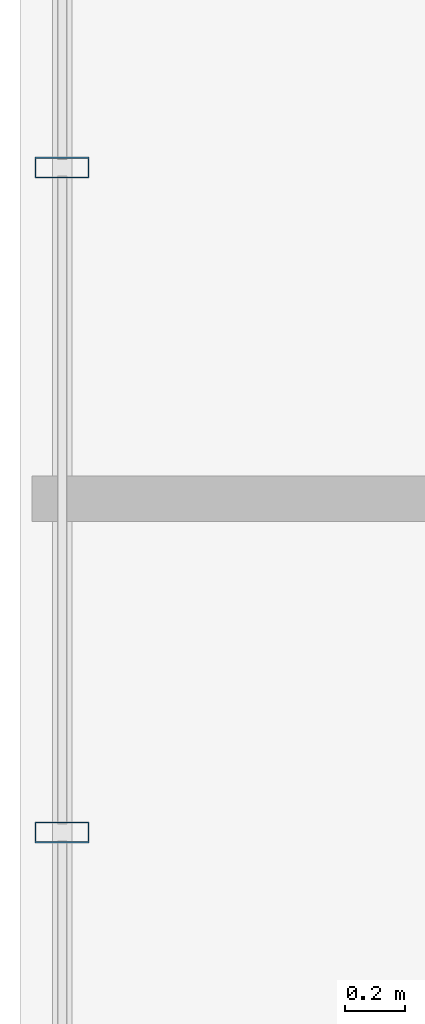
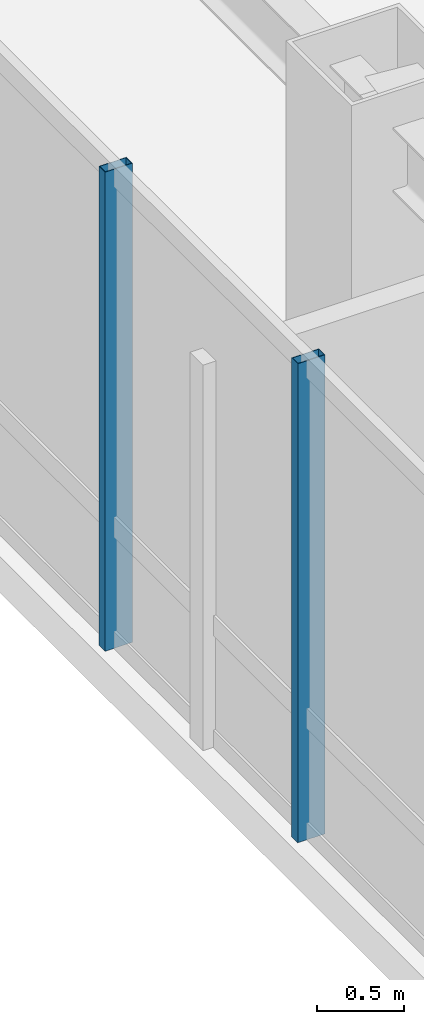
# One storey, part 6 of 27: 2 members, 1 element without a shape of its own.
"""IFC4 building model written with IfcOpenShell, lengths in metres."""

from ifc_helpers import new_model, si_unit, direction, frame, origin, origin_2d, place, context, subcontext, project, spatial, hollow_rectangle, extrude, material, layer, layer_set, material_profile, profile_set, type_object, element, aggregate, save


model = new_model("IFC4")

# Units and contexts
model_context = context("Model", 3, precision=1e-05, world=origin(), true_north=direction((0.0, 1.0)))
body_context = subcontext(model_context, "Body", "Model", "MODEL_VIEW")
ifc_project = project(units=[si_unit("LENGTHUNIT", "METRE"), si_unit("AREAUNIT", "SQUARE_METRE"), si_unit("VOLUMEUNIT", "CUBIC_METRE"), si_unit("PLANEANGLEUNIT", "RADIAN"), si_unit("MASSUNIT", "GRAM", prefix="KILO")], contexts=[model_context])

# Site, building, storey
site_placement = place(None, origin())
site = spatial("IfcSite", under=ifc_project, at=site_placement, CompositionType="ELEMENT")
building_placement = place(site_placement, origin())
building = spatial("IfcBuilding", under=site, at=building_placement, Name="Hatsunagi Terrace Concourse", CompositionType="ELEMENT")
storey_placement = place(building_placement, frame((0.0, 0.0, 174.449951171875)))
storey = spatial("IfcBuildingStorey", under=building, at=storey_placement, Name="L46", CompositionType="ELEMENT", Elevation=174.449951171875)

# Curtain wall, members
ifc_material_1 = material(Name="Anodised Aluminium Alloy 6063-T5", Category="aluminium")
ifc_layer = layer(ifc_material_1, 0.199951171875)
ifc_layer_set = layer_set([ifc_layer], Name="OfficeZone1_CW03")
curtain_wall_type = type_object("IfcCurtainWallType", Name="OfficeZone1_CW03", PredefinedType="NOTDEFINED", material=ifc_layer_set)
curtain_wall_placement = place(storey_placement, origin())
curtain_wall = element("IfcCurtainWall", 1, at=curtain_wall_placement, inside=storey, type_object=curtain_wall_type, Name="Unitised Curtain Wall CW-03 CW-L46-09", PredefinedType="NOTDEFINED")
ifc_material_2 = material(Name="Anodised Aluminium Alloy 6063-T5", Category="aluminium")
ifc_material_profile = material_profile(ifc_material_2, hollow_rectangle(XDim=0.070068359375, YDim=0.179931640625, WallThickness=0.00390625, at=origin_2d()), Name="ALU-MUL-180x70x4")
ifc_profile_set = profile_set([ifc_material_profile], Name="Anodised Aluminium Alloy 6063-T5")
member_type = type_object("IfcMemberType", Name="CurtainWallMullion_180x70", PredefinedType="MULLION", material=ifc_profile_set)
member_1_placement = place(storey_placement, frame((9.739990234375, 34.69189453125, 0.0), z_axis=(0.0, 0.0, 1.0), x_axis=(0.0, 1.0, 0.0)))
member_1 = element("IfcMember", 2, at=member_1_placement, type_object=member_type, Name="Curtain Wall Mullion MUL-02", PredefinedType="MULLION", context=body_context, shape_type="SweptSolid", body=[
    extrude(hollow_rectangle(XDim=0.070068359375, YDim=0.179931640625, WallThickness=0.00390625, at=origin_2d()), origin(), (0.0, 0.0, 1.0), 3.35009765625),
])
member_2_placement = place(storey_placement, frame((9.739990234375, 36.89990234375, 0.0), z_axis=(0.0, 0.0, 1.0), x_axis=(0.0, 1.0, 0.0)))
member_2 = element("IfcMember", 3, at=member_2_placement, type_object=member_type, Name="Curtain Wall Mullion MUL-02", PredefinedType="MULLION", context=body_context, shape_type="SweptSolid", body=[
    extrude(hollow_rectangle(XDim=0.070068359375, YDim=0.179931640625, WallThickness=0.00390625, at=origin_2d()), origin(), (0.0, 0.0, 1.0), 3.35009765625),
])
aggregate(curtain_wall, [member_1, member_2])

save(model, "model.ifc")
